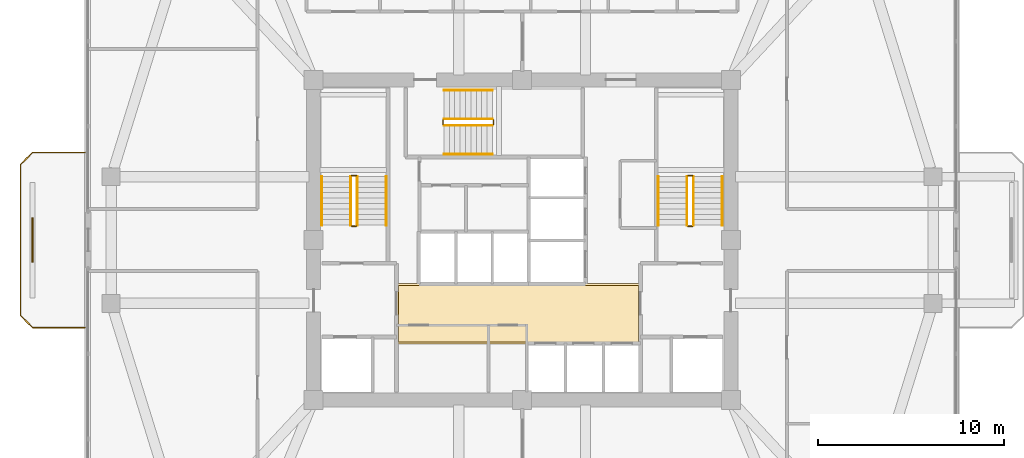
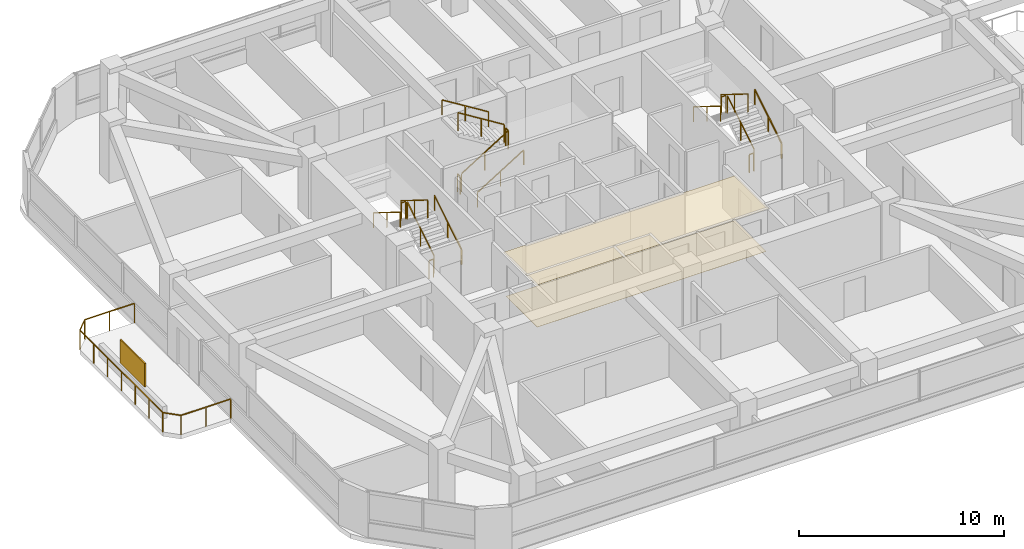
# One storey, part 12 of 13: 19 railings, 2 coverings, 1 shading device.
"""IFC4 building model written with IfcOpenShell, lengths in metres."""

from ifc_helpers import new_model, si_unit, derived_unit, direction, frame, origin, origin_2d, place, context, subcontext, project, spatial, polyline, rectangle, outline, extrude, material, layer, layer_set, type_object, element, save


model = new_model("IFC4")

# Units and contexts
model_context = context("Model", 3, precision=1e-05, world=origin(), true_north=direction((0.0, 1.0)))
body_context = subcontext(model_context, "Body", "Model", "MODEL_VIEW")
ifc_project = project(units=[si_unit("LENGTHUNIT", "METRE"), si_unit("AREAUNIT", "SQUARE_METRE"), si_unit("VOLUMEUNIT", "CUBIC_METRE"), si_unit("PLANEANGLEUNIT", "RADIAN"), si_unit("MASSUNIT", "GRAM", prefix="KILO"), derived_unit("THERMALTRANSMITTANCEUNIT", [(si_unit("POWERUNIT", "WATT"), 1), (si_unit("LENGTHUNIT", "METRE"), -2), (si_unit("THERMODYNAMICTEMPERATUREUNIT", "KELVIN"), -1)])], contexts=[model_context])

# Site, building, storey
site_placement = place(None, origin())
site = spatial("IfcSite", under=ifc_project, at=site_placement, CompositionType="ELEMENT")
building_placement = place(site_placement, origin())
building = spatial("IfcBuilding", under=site, at=building_placement, Name="Koralith Skygarden Medical Center", CompositionType="ELEMENT")
storey_placement = place(building_placement, frame((0.0, 0.0, 156.419921875)))
storey = spatial("IfcBuildingStorey", under=building, at=storey_placement, Name="L40", CompositionType="ELEMENT", Elevation=156.419921875)

# Covering
ifc_material_1 = material(Name="Acoustic Mineral Tile")
ifc_layer_1 = layer(ifc_material_1, 0.02001953125)
ifc_layer_set_1 = layer_set([ifc_layer_1], Name="Acoustic Mineral Tile")
covering_type_1 = type_object("IfcCoveringType", Name="Acoustic Hygienic Mineral Ceiling 20", PredefinedType="CEILING", material=ifc_layer_set_1)
covering_1_placement = place(storey_placement, frame((0.0, 0.0, 2.5849609375)))
element("IfcCovering", 1, at=covering_1_placement, inside=storey, type_object=covering_type_1, Name="L40 Core Lobby Acoustic Ceiling", PredefinedType="CEILING", context=body_context, shape_type="SweptSolid", body=[
    extrude(outline(polyline([(30.25, 20.320068359375), (43.35009765625, 20.320068359375), (43.35009765625, 23.56005859375), (30.25, 23.56005859375), (30.25, 20.320068359375)])), origin(), (0.0, 0.0, 1.0), 0.02001953125),
])

# Railing
ifc_material_2 = material(Name="Steel ASTM A500 Grade C", Category="steel")
railing_type_1 = type_object("IfcRailingType", Name="Outdoor Terrace & Balcony Safety Guardrail 1180", PredefinedType="GUARDRAIL", material=ifc_material_2)
railing_1_placement = place(storey_placement, frame((13.51611328125, 21.199951171875, 0.0)))
element("IfcRailing", 2, at=railing_1_placement, inside=storey, type_object=railing_type_1, Name="L40 W Balcony Perimeter Guardrail", PredefinedType="GUARDRAIL", context=body_context, shape_type="SweptSolid", body=[
    extrude(rectangle(XDim=0.050048828125, YDim=0.050048828125, at=origin_2d()), frame((-0.001953125, 0.0, 1.15478515625), z_axis=(-1.0, 0.0, 0.0), x_axis=(0.0, -1.0, 0.0)), (0.0, 0.0, 1.0), 2.796142578125),
    extrude(rectangle(XDim=0.050048828125, YDim=0.050048828125, at=origin_2d()), frame((-2.801513671875, 0.00146484375, 1.15478515625), z_axis=(-0.707106781187, 0.707106781187, 0.0), x_axis=(-0.707106781187, -0.707106781187, 0.0)), (0.0, 0.0, 1.0), 0.91552734375),
    extrude(rectangle(XDim=0.050048828125, YDim=0.050048828125, at=origin_2d()), frame((-3.4501953125, 0.652099609375, 1.15478515625), z_axis=(0.0, 1.0, 0.0), x_axis=(-1.0, 0.0, 0.0)), (0.0, 0.0, 1.0), 8.095947265625),
    extrude(rectangle(XDim=0.050048828125, YDim=0.050048828125, at=origin_2d()), frame((-3.44873046875, 8.75146484375, 1.15478515625), z_axis=(0.707106781187, 0.707106781187, 0.0), x_axis=(-0.707106781187, 0.707106781187, 0.0)), (0.0, 0.0, 1.0), 0.91552734375),
    extrude(rectangle(XDim=0.050048828125, YDim=0.050048828125, at=origin_2d()), frame((-2.798095703125, 9.400146484375, 1.15478515625), z_axis=(1.0, 0.0, 0.0), x_axis=(0.0, 1.0, 0.0)), (0.0, 0.0, 1.0), 2.796142578125),
    extrude(rectangle(XDim=0.0419921875, YDim=0.0419921875, at=origin_2d()), origin(), (0.0, 0.0, 1.0), 1.1279296875),
    extrude(rectangle(XDim=0.0419921875, YDim=0.0419921875, at=origin_2d()), frame((-1.39990234375, 0.0, 0.0)), (0.0, 0.0, 1.0), 1.1279296875),
    extrude(rectangle(XDim=0.0419921875, YDim=0.0419921875, at=origin_2d()), frame((-2.800048828125, 0.0, 0.0)), (0.0, 0.0, 1.0), 1.1279296875),
    extrude(rectangle(XDim=0.0419921875, YDim=0.0419921875, at=origin_2d()), frame((-3.4501953125, 0.650146484375, 0.0)), (0.0, 0.0, 1.0), 1.1279296875),
    extrude(rectangle(XDim=0.0419921875, YDim=0.0419921875, at=origin_2d()), frame((-3.4501953125, 2.0, 0.0)), (0.0, 0.0, 1.0), 1.1279296875),
    extrude(rectangle(XDim=0.0419921875, YDim=0.0419921875, at=origin_2d()), frame((-3.4501953125, 3.35009765625, 0.0)), (0.0, 0.0, 1.0), 1.1279296875),
    extrude(rectangle(XDim=0.0419921875, YDim=0.0419921875, at=origin_2d()), frame((-3.4501953125, 4.7001953125, 0.0)), (0.0, 0.0, 1.0), 1.1279296875),
    extrude(rectangle(XDim=0.0419921875, YDim=0.0419921875, at=origin_2d()), frame((-3.4501953125, 6.050048828125, 0.0)), (0.0, 0.0, 1.0), 1.1279296875),
    extrude(rectangle(XDim=0.0419921875, YDim=0.0419921875, at=origin_2d()), frame((-3.4501953125, 7.39990234375, 0.0)), (0.0, 0.0, 1.0), 1.1279296875),
    extrude(rectangle(XDim=0.0419921875, YDim=0.0419921875, at=origin_2d()), frame((-3.4501953125, 8.75, 0.0)), (0.0, 0.0, 1.0), 1.1279296875),
    extrude(rectangle(XDim=0.0419921875, YDim=0.0419921875, at=origin_2d()), frame((-2.800048828125, 9.400146484375, 0.0)), (0.0, 0.0, 1.0), 1.1279296875),
    extrude(rectangle(XDim=0.0419921875, YDim=0.0419921875, at=origin_2d()), frame((-1.39990234375, 9.400146484375, 0.0)), (0.0, 0.0, 1.0), 1.1279296875),
    extrude(rectangle(XDim=0.0419921875, YDim=0.0419921875, at=origin_2d()), frame((0.0, 9.400146484375, 0.0)), (0.0, 0.0, 1.0), 1.1279296875),
])

# Shading device
ifc_material_3 = material(Name="Aluminium 6063-T6", Category="aluminium")
ifc_layer_2 = layer(ifc_material_3, 0.080078125)
ifc_layer_set_2 = layer_set([ifc_layer_2], Name="Aluminium 6063-T6")
shading_device_type = type_object("IfcShadingDeviceType", Name="Perforated Biophilic Balcony Trellis Screen", PredefinedType="USERDEFINED", material=ifc_layer_set_2)
shading_device_placement = place(storey_placement, frame((10.716064453125, 25.89990234375, 0.72021484375), z_axis=(0.0, 0.0, 1.0), x_axis=(0.0, 1.0, 0.0)))
element("IfcShadingDevice", 3, at=shading_device_placement, inside=storey, type_object=shading_device_type, Name="L40 W Biophilic Balcony Trellis Screen", ObjectType="HURRICANE SCREEN", PredefinedType="USERDEFINED", context=body_context, shape_type="SweptSolid", body=[
    extrude(rectangle(XDim=2.39990234375, YDim=0.080078125, at=origin_2d()), origin(), (0.0, 0.0, 1.0), 1.39990234375),
])

# Covering
ifc_material_4 = material(Name="Medical Terrazzo Flooring")
ifc_layer_3 = layer(ifc_material_4, 0.014892578125)
ifc_layer_set_3 = layer_set([ifc_layer_3], Name="Medical Terrazzo Flooring")
covering_type_2 = type_object("IfcCoveringType", Name="Seamless Antimicrobial Terrazzo Flooring 15", PredefinedType="FLOORING", material=ifc_layer_set_3)
covering_2_placement = place(storey_placement, origin())
element("IfcCovering", 4, at=covering_2_placement, inside=storey, type_object=covering_type_2, Name="L40 Core Lobby Terrazzo Flooring", PredefinedType="FLOORING", context=body_context, shape_type="SweptSolid", body=[
    extrude(outline(polyline([(30.35009765625, 20.419921875), (43.25, 20.419921875), (43.25, 23.4599609375), (30.35009765625, 23.4599609375), (30.35009765625, 20.419921875)])), origin(), (0.0, 0.0, 1.0), 0.01513671875),
])

# Railings
railing_type_2 = type_object("IfcRailingType", Name="Stair Flight Tubular Handrail 920", PredefinedType="HANDRAIL", material=ifc_material_2)
railing_2_placement = place(storey_placement, frame((29.699951171875, 26.699951171875, 0.18017578125)))
element("IfcRailing", 5, at=railing_2_placement, inside=storey, type_object=railing_type_2, Name="L40 ST1 stair handrail 1", PredefinedType="HANDRAIL", context=body_context, shape_type="SweptSolid", body=[
    extrude(rectangle(XDim=0.050048828125, YDim=0.050048828125, at=origin_2d()), frame((0.0, 0.001708984375, 0.89599609375), z_axis=(0.0, 0.849668407637, 0.527317358963), x_axis=(-1.0, 0.0, 0.0)), (0.0, 0.0, 1.0), 3.06787109375),
    extrude(rectangle(XDim=0.0419921875, YDim=0.0419921875, at=origin_2d()), origin(), (0.0, 0.0, 1.0), 0.867919921875),
    extrude(rectangle(XDim=0.0419921875, YDim=0.0419921875, at=origin_2d()), frame((0.0, 1.30517578125, 0.81005859375)), (0.0, 0.0, 1.0), 0.867919921875),
    extrude(rectangle(XDim=0.0419921875, YDim=0.0419921875, at=origin_2d()), frame((0.0, 2.610107421875, 1.619873046875)), (0.0, 0.0, 1.0), 0.867919921875),
])
railing_3_placement = place(storey_placement, frame((26.25, 29.31005859375, 1.97998046875)))
element("IfcRailing", 6, at=railing_3_placement, inside=storey, type_object=railing_type_2, Name="L40 ST1 stair handrail 2", PredefinedType="HANDRAIL", context=body_context, shape_type="SweptSolid", body=[
    extrude(rectangle(XDim=0.050048828125, YDim=0.050048828125, at=origin_2d()), frame((0.0, -0.001708984375, 0.89599609375), z_axis=(0.0, -0.849632798774, 0.527374731332), x_axis=(1.0, 0.0, 0.0)), (0.0, 0.0, 1.0), 3.068115234375),
    extrude(rectangle(XDim=0.0419921875, YDim=0.0419921875, at=origin_2d()), origin(), (0.0, 0.0, 1.0), 0.867919921875),
    extrude(rectangle(XDim=0.0419921875, YDim=0.0419921875, at=origin_2d()), frame((0.0, -1.30517578125, 0.81005859375)), (0.0, 0.0, 1.0), 0.867919921875),
    extrude(rectangle(XDim=0.0419921875, YDim=0.0419921875, at=origin_2d()), frame((0.0, -2.610107421875, 1.6201171875)), (0.0, 0.0, 1.0), 0.867919921875),
])
railing_4_placement = place(storey_placement, frame((47.75, 26.699951171875, 0.18017578125)))
element("IfcRailing", 7, at=railing_4_placement, inside=storey, type_object=railing_type_2, Name="L40 ST2 stair handrail 1", PredefinedType="HANDRAIL", context=body_context, shape_type="SweptSolid", body=[
    extrude(rectangle(XDim=0.050048828125, YDim=0.050048828125, at=origin_2d()), frame((0.0, 0.001708984375, 0.89599609375), z_axis=(0.0, 0.849668407637, 0.527317358963), x_axis=(-1.0, 0.0, 0.0)), (0.0, 0.0, 1.0), 3.06787109375),
    extrude(rectangle(XDim=0.0419921875, YDim=0.0419921875, at=origin_2d()), origin(), (0.0, 0.0, 1.0), 0.867919921875),
    extrude(rectangle(XDim=0.0419921875, YDim=0.0419921875, at=origin_2d()), frame((0.0, 1.30517578125, 0.81005859375)), (0.0, 0.0, 1.0), 0.867919921875),
    extrude(rectangle(XDim=0.0419921875, YDim=0.0419921875, at=origin_2d()), frame((0.0, 2.610107421875, 1.619873046875)), (0.0, 0.0, 1.0), 0.867919921875),
])
railing_5_placement = place(storey_placement, frame((44.300048828125, 29.31005859375, 1.97998046875)))
element("IfcRailing", 8, at=railing_5_placement, inside=storey, type_object=railing_type_2, Name="L40 ST2 stair handrail 2", PredefinedType="HANDRAIL", context=body_context, shape_type="SweptSolid", body=[
    extrude(rectangle(XDim=0.050048828125, YDim=0.050048828125, at=origin_2d()), frame((0.0, -0.001708984375, 0.89599609375), z_axis=(0.0, -0.849632798774, 0.527374731332), x_axis=(1.0, 0.0, 0.0)), (0.0, 0.0, 1.0), 3.068115234375),
    extrude(rectangle(XDim=0.0419921875, YDim=0.0419921875, at=origin_2d()), origin(), (0.0, 0.0, 1.0), 0.867919921875),
    extrude(rectangle(XDim=0.0419921875, YDim=0.0419921875, at=origin_2d()), frame((0.0, -1.30517578125, 0.81005859375)), (0.0, 0.0, 1.0), 0.867919921875),
    extrude(rectangle(XDim=0.0419921875, YDim=0.0419921875, at=origin_2d()), frame((0.0, -2.610107421875, 1.6201171875)), (0.0, 0.0, 1.0), 0.867919921875),
])
railing_6_placement = place(storey_placement, frame((32.800048828125, 30.5, 0.18017578125)))
element("IfcRailing", 9, at=railing_6_placement, inside=storey, type_object=railing_type_2, Name="L40 ST3 stair handrail 1", PredefinedType="HANDRAIL", context=body_context, shape_type="SweptSolid", body=[
    extrude(rectangle(XDim=0.050048828125, YDim=0.050048828125, at=origin_2d()), frame((0.001708984375, 0.0, 0.89599609375), z_axis=(0.849646306263, 0.0, 0.527352969322), x_axis=(0.0, 1.0, 0.0)), (0.0, 0.0, 1.0), 3.067626953125),
    extrude(rectangle(XDim=0.0419921875, YDim=0.0419921875, at=origin_2d()), origin(), (0.0, 0.0, 1.0), 0.867919921875),
    extrude(rectangle(XDim=0.0419921875, YDim=0.0419921875, at=origin_2d()), frame((1.304931640625, 0.0, 0.81005859375)), (0.0, 0.0, 1.0), 0.867919921875),
    extrude(rectangle(XDim=0.0419921875, YDim=0.0419921875, at=origin_2d()), frame((2.60986328125, 0.0, 1.619873046875)), (0.0, 0.0, 1.0), 0.867919921875),
])
railing_7_placement = place(storey_placement, frame((35.409912109375, 33.949951171875, 1.97998046875)))
element("IfcRailing", 10, at=railing_7_placement, inside=storey, type_object=railing_type_2, Name="L40 ST3 stair handrail 2", PredefinedType="HANDRAIL", context=body_context, shape_type="SweptSolid", body=[
    extrude(rectangle(XDim=0.050048828125, YDim=0.050048828125, at=origin_2d()), frame((-0.001708984375, 0.0, 0.89599609375), z_axis=(-0.849610693518, 0.0, 0.52741034258), x_axis=(0.0, -1.0, 0.0)), (0.0, 0.0, 1.0), 3.06787109375),
    extrude(rectangle(XDim=0.0419921875, YDim=0.0419921875, at=origin_2d()), origin(), (0.0, 0.0, 1.0), 0.867919921875),
    extrude(rectangle(XDim=0.0419921875, YDim=0.0419921875, at=origin_2d()), frame((-1.304931640625, 0.0, 0.81005859375)), (0.0, 0.0, 1.0), 0.867919921875),
    extrude(rectangle(XDim=0.0419921875, YDim=0.0419921875, at=origin_2d()), frame((-2.60986328125, 0.0, 1.6201171875)), (0.0, 0.0, 1.0), 0.867919921875),
])
railing_type_3 = type_object("IfcRailingType", Name="Stair Well Safety Guardrail 1100", PredefinedType="GUARDRAIL", material=ifc_material_2)
railing_8_placement = place(storey_placement, frame((28.14990234375, 26.699951171875, 0.18017578125)))
element("IfcRailing", 11, at=railing_8_placement, inside=storey, type_object=railing_type_3, Name="L40 ST1 stair guard 1", PredefinedType="GUARDRAIL", context=body_context, shape_type="SweptSolid", body=[
    extrude(rectangle(XDim=0.050048828125, YDim=0.050048828125, at=origin_2d()), frame((0.0, 0.001708984375, 1.076171875), z_axis=(0.0, 0.849668407637, 0.527317358963), x_axis=(-1.0, 0.0, 0.0)), (0.0, 0.0, 1.0), 3.06787109375),
    extrude(rectangle(XDim=0.0419921875, YDim=0.0419921875, at=origin_2d()), origin(), (0.0, 0.0, 1.0), 1.048095703125),
    extrude(rectangle(XDim=0.0419921875, YDim=0.0419921875, at=origin_2d()), frame((0.0, 1.30517578125, 0.81005859375)), (0.0, 0.0, 1.0), 1.048095703125),
    extrude(rectangle(XDim=0.0419921875, YDim=0.0419921875, at=origin_2d()), frame((0.0, 2.610107421875, 1.619873046875)), (0.0, 0.0, 1.0), 1.048095703125),
])
railing_9_placement = place(storey_placement, frame((28.10009765625, 29.360107421875, 1.800048828125)))
element("IfcRailing", 12, at=railing_9_placement, inside=storey, type_object=railing_type_3, Name="L40 ST1 stair guard 2", PredefinedType="GUARDRAIL", context=body_context, shape_type="SweptSolid", body=[
    extrude(rectangle(XDim=0.050048828125, YDim=0.050048828125, at=origin_2d()), frame((-0.001953125, 0.0, 1.0751953125), z_axis=(-1.0, 0.0, 0.0), x_axis=(0.0, -1.0, 0.0)), (0.0, 0.0, 1.0), 0.24609375),
    extrude(rectangle(XDim=0.0419921875, YDim=0.0419921875, at=origin_2d()), origin(), (0.0, 0.0, 1.0), 1.048095703125),
    extrude(rectangle(XDim=0.0419921875, YDim=0.0419921875, at=origin_2d()), frame((-0.25, 0.0, 0.0)), (0.0, 0.0, 1.0), 1.048095703125),
])
railing_10_placement = place(storey_placement, frame((27.800048828125, 29.31005859375, 1.97998046875)))
element("IfcRailing", 13, at=railing_10_placement, inside=storey, type_object=railing_type_3, Name="L40 ST1 stair guard 3", PredefinedType="GUARDRAIL", context=body_context, shape_type="SweptSolid", body=[
    extrude(rectangle(XDim=0.050048828125, YDim=0.050048828125, at=origin_2d()), frame((0.0, -0.001708984375, 1.076171875), z_axis=(0.0, -0.849632798774, 0.527374731332), x_axis=(1.0, 0.0, 0.0)), (0.0, 0.0, 1.0), 3.068115234375),
    extrude(rectangle(XDim=0.0419921875, YDim=0.0419921875, at=origin_2d()), origin(), (0.0, 0.0, 1.0), 1.048095703125),
    extrude(rectangle(XDim=0.0419921875, YDim=0.0419921875, at=origin_2d()), frame((0.0, -1.30517578125, 0.81005859375)), (0.0, 0.0, 1.0), 1.048095703125),
    extrude(rectangle(XDim=0.0419921875, YDim=0.0419921875, at=origin_2d()), frame((0.0, -2.610107421875, 1.6201171875)), (0.0, 0.0, 1.0), 1.048095703125),
])
railing_11_placement = place(storey_placement, frame((28.10009765625, 26.64990234375, 0.0)))
element("IfcRailing", 14, at=railing_11_placement, inside=storey, type_object=railing_type_3, Name="L40 ST1 stair guard 4", PredefinedType="GUARDRAIL", context=body_context, shape_type="SweptSolid", body=[
    extrude(rectangle(XDim=0.050048828125, YDim=0.050048828125, at=origin_2d()), frame((-0.001953125, 0.0, 1.0751953125), z_axis=(-1.0, 0.0, 0.0), x_axis=(0.0, -1.0, 0.0)), (0.0, 0.0, 1.0), 0.24609375),
    extrude(rectangle(XDim=0.0419921875, YDim=0.0419921875, at=origin_2d()), origin(), (0.0, 0.0, 1.0), 1.048095703125),
    extrude(rectangle(XDim=0.0419921875, YDim=0.0419921875, at=origin_2d()), frame((-0.25, 0.0, 0.0)), (0.0, 0.0, 1.0), 1.048095703125),
])
railing_12_placement = place(storey_placement, frame((46.199951171875, 26.699951171875, 0.18017578125)))
element("IfcRailing", 15, at=railing_12_placement, inside=storey, type_object=railing_type_3, Name="L40 ST2 stair guard 1", PredefinedType="GUARDRAIL", context=body_context, shape_type="SweptSolid", body=[
    extrude(rectangle(XDim=0.050048828125, YDim=0.050048828125, at=origin_2d()), frame((0.0, 0.001708984375, 1.076171875), z_axis=(0.0, 0.849668407637, 0.527317358963), x_axis=(-1.0, 0.0, 0.0)), (0.0, 0.0, 1.0), 3.06787109375),
    extrude(rectangle(XDim=0.0419921875, YDim=0.0419921875, at=origin_2d()), origin(), (0.0, 0.0, 1.0), 1.048095703125),
    extrude(rectangle(XDim=0.0419921875, YDim=0.0419921875, at=origin_2d()), frame((0.0, 1.30517578125, 0.81005859375)), (0.0, 0.0, 1.0), 1.048095703125),
    extrude(rectangle(XDim=0.0419921875, YDim=0.0419921875, at=origin_2d()), frame((0.0, 2.610107421875, 1.619873046875)), (0.0, 0.0, 1.0), 1.048095703125),
])
railing_13_placement = place(storey_placement, frame((46.14990234375, 29.360107421875, 1.800048828125)))
element("IfcRailing", 16, at=railing_13_placement, inside=storey, type_object=railing_type_3, Name="L40 ST2 stair guard 2", PredefinedType="GUARDRAIL", context=body_context, shape_type="SweptSolid", body=[
    extrude(rectangle(XDim=0.050048828125, YDim=0.050048828125, at=origin_2d()), frame((-0.001953125, 0.0, 1.0751953125), z_axis=(-1.0, 0.0, 0.0), x_axis=(0.0, -1.0, 0.0)), (0.0, 0.0, 1.0), 0.24609375),
    extrude(rectangle(XDim=0.0419921875, YDim=0.0419921875, at=origin_2d()), origin(), (0.0, 0.0, 1.0), 1.048095703125),
    extrude(rectangle(XDim=0.0419921875, YDim=0.0419921875, at=origin_2d()), frame((-0.25, 0.0, 0.0)), (0.0, 0.0, 1.0), 1.048095703125),
])
railing_14_placement = place(storey_placement, frame((45.85009765625, 29.31005859375, 1.97998046875)))
element("IfcRailing", 17, at=railing_14_placement, inside=storey, type_object=railing_type_3, Name="L40 ST2 stair guard 3", PredefinedType="GUARDRAIL", context=body_context, shape_type="SweptSolid", body=[
    extrude(rectangle(XDim=0.050048828125, YDim=0.050048828125, at=origin_2d()), frame((0.0, -0.001708984375, 1.076171875), z_axis=(0.0, -0.849632798774, 0.527374731332), x_axis=(1.0, 0.0, 0.0)), (0.0, 0.0, 1.0), 3.068115234375),
    extrude(rectangle(XDim=0.0419921875, YDim=0.0419921875, at=origin_2d()), origin(), (0.0, 0.0, 1.0), 1.048095703125),
    extrude(rectangle(XDim=0.0419921875, YDim=0.0419921875, at=origin_2d()), frame((0.0, -1.30517578125, 0.81005859375)), (0.0, 0.0, 1.0), 1.048095703125),
    extrude(rectangle(XDim=0.0419921875, YDim=0.0419921875, at=origin_2d()), frame((0.0, -2.610107421875, 1.6201171875)), (0.0, 0.0, 1.0), 1.048095703125),
])
railing_15_placement = place(storey_placement, frame((46.14990234375, 26.64990234375, 0.0)))
element("IfcRailing", 18, at=railing_15_placement, inside=storey, type_object=railing_type_3, Name="L40 ST2 stair guard 4", PredefinedType="GUARDRAIL", context=body_context, shape_type="SweptSolid", body=[
    extrude(rectangle(XDim=0.050048828125, YDim=0.050048828125, at=origin_2d()), frame((-0.001953125, 0.0, 1.0751953125), z_axis=(-1.0, 0.0, 0.0), x_axis=(0.0, -1.0, 0.0)), (0.0, 0.0, 1.0), 0.24609375),
    extrude(rectangle(XDim=0.0419921875, YDim=0.0419921875, at=origin_2d()), origin(), (0.0, 0.0, 1.0), 1.048095703125),
    extrude(rectangle(XDim=0.0419921875, YDim=0.0419921875, at=origin_2d()), frame((-0.25, 0.0, 0.0)), (0.0, 0.0, 1.0), 1.048095703125),
])
railing_16_placement = place(storey_placement, frame((32.800048828125, 32.050048828125, 0.18017578125)))
element("IfcRailing", 19, at=railing_16_placement, inside=storey, type_object=railing_type_3, Name="L40 ST3 stair guard 1", PredefinedType="GUARDRAIL", context=body_context, shape_type="SweptSolid", body=[
    extrude(rectangle(XDim=0.050048828125, YDim=0.050048828125, at=origin_2d()), frame((0.001708984375, 0.0, 1.076171875), z_axis=(0.849646306263, 0.0, 0.527352969322), x_axis=(0.0, 1.0, 0.0)), (0.0, 0.0, 1.0), 3.067626953125),
    extrude(rectangle(XDim=0.0419921875, YDim=0.0419921875, at=origin_2d()), origin(), (0.0, 0.0, 1.0), 1.048095703125),
    extrude(rectangle(XDim=0.0419921875, YDim=0.0419921875, at=origin_2d()), frame((1.304931640625, 0.0, 0.81005859375)), (0.0, 0.0, 1.0), 1.048095703125),
    extrude(rectangle(XDim=0.0419921875, YDim=0.0419921875, at=origin_2d()), frame((2.60986328125, 0.0, 1.619873046875)), (0.0, 0.0, 1.0), 1.048095703125),
])
railing_17_placement = place(storey_placement, frame((35.4599609375, 32.10009765625, 1.800048828125)))
element("IfcRailing", 20, at=railing_17_placement, inside=storey, type_object=railing_type_3, Name="L40 ST3 stair guard 2", PredefinedType="GUARDRAIL", context=body_context, shape_type="SweptSolid", body=[
    extrude(rectangle(XDim=0.050048828125, YDim=0.050048828125, at=origin_2d()), frame((0.0, 0.001953125, 1.0751953125), z_axis=(0.0, 1.0, 0.0), x_axis=(-1.0, 0.0, 0.0)), (0.0, 0.0, 1.0), 0.24609375),
    extrude(rectangle(XDim=0.0419921875, YDim=0.0419921875, at=origin_2d()), origin(), (0.0, 0.0, 1.0), 1.048095703125),
    extrude(rectangle(XDim=0.0419921875, YDim=0.0419921875, at=origin_2d()), frame((0.0, 0.25, 0.0)), (0.0, 0.0, 1.0), 1.048095703125),
])
railing_18_placement = place(storey_placement, frame((35.409912109375, 32.39990234375, 1.97998046875)))
element("IfcRailing", 21, at=railing_18_placement, inside=storey, type_object=railing_type_3, Name="L40 ST3 stair guard 3", PredefinedType="GUARDRAIL", context=body_context, shape_type="SweptSolid", body=[
    extrude(rectangle(XDim=0.050048828125, YDim=0.050048828125, at=origin_2d()), frame((-0.001708984375, 0.0, 1.076171875), z_axis=(-0.849610693518, 0.0, 0.52741034258), x_axis=(0.0, -1.0, 0.0)), (0.0, 0.0, 1.0), 3.06787109375),
    extrude(rectangle(XDim=0.0419921875, YDim=0.0419921875, at=origin_2d()), origin(), (0.0, 0.0, 1.0), 1.048095703125),
    extrude(rectangle(XDim=0.0419921875, YDim=0.0419921875, at=origin_2d()), frame((-1.304931640625, 0.0, 0.81005859375)), (0.0, 0.0, 1.0), 1.048095703125),
    extrude(rectangle(XDim=0.0419921875, YDim=0.0419921875, at=origin_2d()), frame((-2.60986328125, 0.0, 1.6201171875)), (0.0, 0.0, 1.0), 1.048095703125),
])
railing_19_placement = place(storey_placement, frame((32.75, 32.10009765625, 0.0)))
element("IfcRailing", 22, at=railing_19_placement, inside=storey, type_object=railing_type_3, Name="L40 ST3 stair guard 4", PredefinedType="GUARDRAIL", context=body_context, shape_type="SweptSolid", body=[
    extrude(rectangle(XDim=0.050048828125, YDim=0.050048828125, at=origin_2d()), frame((0.0, 0.001953125, 1.0751953125), z_axis=(0.0, 1.0, 0.0), x_axis=(-1.0, 0.0, 0.0)), (0.0, 0.0, 1.0), 0.24609375),
    extrude(rectangle(XDim=0.0419921875, YDim=0.0419921875, at=origin_2d()), origin(), (0.0, 0.0, 1.0), 1.048095703125),
    extrude(rectangle(XDim=0.0419921875, YDim=0.0419921875, at=origin_2d()), frame((0.0, 0.25, 0.0)), (0.0, 0.0, 1.0), 1.048095703125),
])

save(model, "model.ifc")
